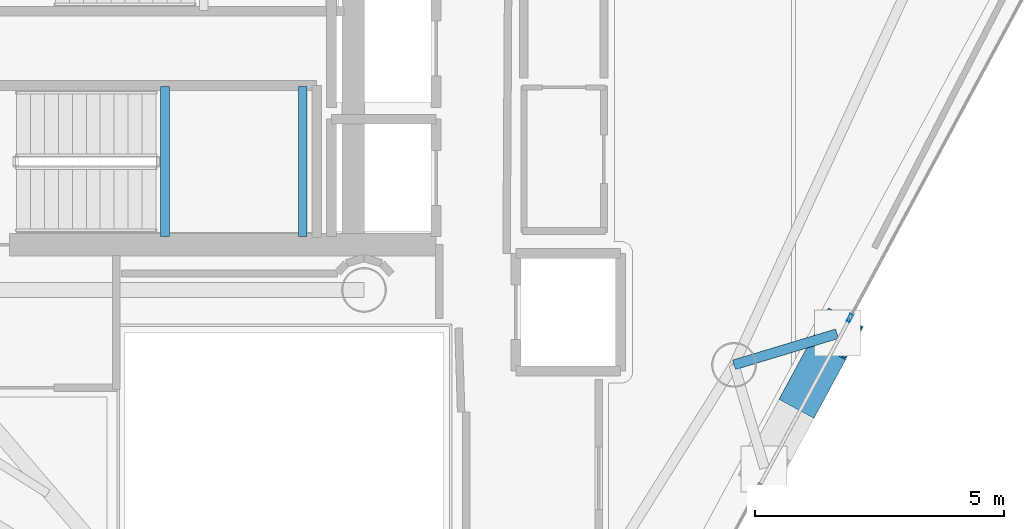
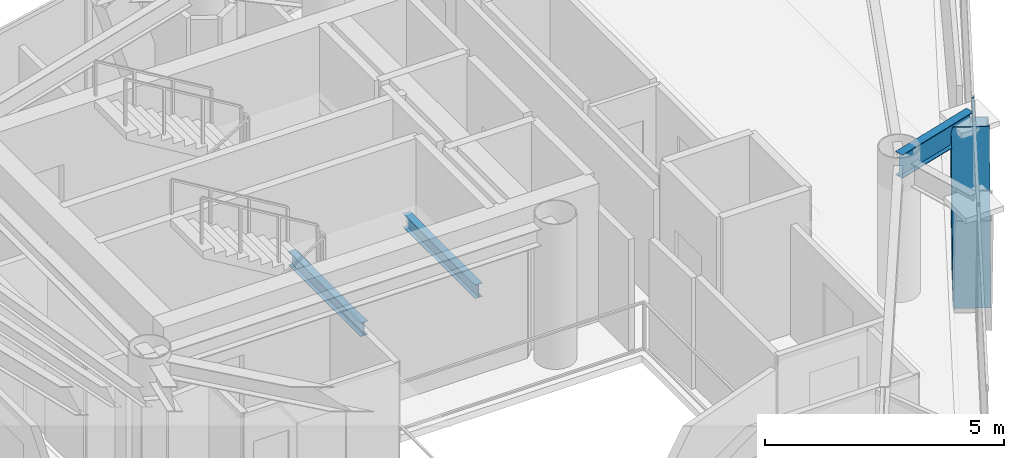
# One storey, part 12 of 24: 3 beams, 2 members, 1 element without a shape of its own.
"""IFC4 building model written with IfcOpenShell, lengths in metres."""

import ifcopenshell
import ifcopenshell.guid

model = None  # the IFC model being written
_history = None  # IfcOwnerHistory: only IFC2X3 demands one
_inside = {}  # id of a spatial element -> (the spatial element, [elements in it])
_under = {}  # id of a project, library or spatial element -> (it, [spatial elements below it])
_declared = {}  # id of a project -> (the project, [libraries it declares])
_typed = {}  # id of a type object -> (the type object, [elements of that type])
_made_of = {}  # id of a material, layer set ... -> (it, [elements and type objects made of it])


def new_model(schema):
    """Start an empty IFC model of exactly this schema.

    Asked for "IFC4X3", IfcOpenShell would pick the latest addendum, in which some entities
    have other attributes; the version numbers below select the first issue.
    IFC2X3 requires an IfcOwnerHistory on every rooted entity: one is made here for all.
    """
    global model, _history
    if schema == "IFC4X3":
        model = ifcopenshell.file(schema_version=(4, 3, 0, 0))
    else:
        model = ifcopenshell.file(schema=schema)
    _inside.clear()
    _under.clear()
    _declared.clear()
    _typed.clear()
    _made_of.clear()
    _history = None
    if model.schema == "IFC2X3":
        org = make("IfcOrganization", Name="unknown")
        user = make(
            "IfcPersonAndOrganization",
            ThePerson=make("IfcPerson", FamilyName="unknown"),
            TheOrganization=org,
        )
        app = make(
            "IfcApplication",
            ApplicationDeveloper=org,
            Version="unknown",
            ApplicationFullName="unknown",
            ApplicationIdentifier="unknown",
        )
        _history = make(
            "IfcOwnerHistory",
            OwningUser=user,
            OwningApplication=app,
            ChangeAction="ADDED",
            CreationDate=0,
        )
    return model


def make(cls, **values):
    """One entity of the class cls with the attributes given. An attribute that is None is left unset."""
    return model.create_entity(
        cls, **{name: value for name, value in values.items() if value is not None}
    )


def rooted(cls, **values):
    """An entity with a GlobalId (a new one), such as an element, a storey or a relation."""
    return make(cls, GlobalId=ifcopenshell.guid.new(), OwnerHistory=_history, **values)


def si_unit(unit_type, name, prefix=None):
    """IfcSIUnit, for example si_unit("LENGTHUNIT", "METRE", prefix="MILLI")."""
    return make("IfcSIUnit", UnitType=unit_type, Prefix=prefix, Name=name)


def assignment(units):
    """IfcUnitAssignment: the units of a project."""
    return None if units is None else make("IfcUnitAssignment", Units=units)


def point(xyz):
    """IfcCartesianPoint."""
    return None if xyz is None else make("IfcCartesianPoint", Coordinates=xyz)


def direction(xyz):
    """IfcDirection."""
    return None if xyz is None else make("IfcDirection", DirectionRatios=xyz)


def frame(location, z_axis=None, x_axis=None):
    """IfcAxis2Placement3D, a coordinate frame: its origin and axes. An axis left out is left unset."""
    return make(
        "IfcAxis2Placement3D",
        Location=point(location),
        Axis=direction(z_axis),
        RefDirection=direction(x_axis),
    )


def frame_2d(location, x_axis=None):
    """IfcAxis2Placement2D, a coordinate frame in the plane: its origin and x axis."""
    return make(
        "IfcAxis2Placement2D", Location=point(location), RefDirection=direction(x_axis)
    )


def origin():
    """The frame at (0, 0, 0) with its axes left unset."""
    return frame((0.0, 0.0, 0.0))


def origin_2d():
    """The frame at (0, 0) in the plane with its x axis left unset."""
    return frame_2d((0.0, 0.0))


def place(relative_to, where):
    """IfcLocalPlacement: puts the frame where relative to a parent placement (None: the world)."""
    return make(
        "IfcLocalPlacement", PlacementRelTo=relative_to, RelativePlacement=where
    )


def context(
    kind, dimensions, precision=None, world=None, true_north=None, identifier=None
):
    """IfcGeometricRepresentationContext, for example the 3D "Model" context."""
    return make(
        "IfcGeometricRepresentationContext",
        ContextIdentifier=identifier,
        ContextType=kind,
        CoordinateSpaceDimension=dimensions,
        Precision=precision,
        WorldCoordinateSystem=world,
        TrueNorth=true_north,
    )


def subcontext(parent, identifier, kind, view, scale=None):
    """IfcGeometricRepresentationSubContext, for example "Body" below "Model"."""
    return make(
        "IfcGeometricRepresentationSubContext",
        ContextIdentifier=identifier,
        ContextType=kind,
        ParentContext=parent,
        TargetScale=scale,
        TargetView=view,
    )


def project(units=None, contexts=None):
    """IfcProject with its units and contexts."""
    return rooted(
        "IfcProject",
        Name="project",
        RepresentationContexts=contexts,
        UnitsInContext=assignment(units),
    )


def spatial(cls, under=None, at=None, **own):
    """A site, building, storey or space (cls), placed at a placement, below another one or the project."""
    s = rooted(cls, ObjectPlacement=at, **own)
    if under is not None:
        _under.setdefault(under.id(), (under, []))[1].append(s)
    return s


def profile(cls, at=None, kind="AREA", **sizes):
    """A parametric profile (cls). Its sizes go by their IFC names, for example OverallWidth=200.0."""
    return make(cls, ProfileType=kind, Position=at, **sizes)


def hollow_rectangle(**sizes):
    """IfcRectangleHollowProfileDef."""
    return profile("IfcRectangleHollowProfileDef", **sizes)


def i_section(**sizes):
    """IfcIShapeProfileDef."""
    return profile("IfcIShapeProfileDef", **sizes)


def extrude(swept, where, along, depth):
    """IfcExtrudedAreaSolid: the profile swept, set in the frame where, extruded along a direction by depth."""
    return make(
        "IfcExtrudedAreaSolid",
        SweptArea=swept,
        Position=where,
        ExtrudedDirection=direction(along),
        Depth=depth,
    )


def shape(context_of_items, identifier, shape_type, items):
    """IfcShapeRepresentation: the items that make up one representation, for example the "Body"."""
    return make(
        "IfcShapeRepresentation",
        ContextOfItems=context_of_items,
        RepresentationIdentifier=identifier,
        RepresentationType=shape_type,
        Items=items,
    )


def material(Name=None, Category=None):
    """IfcMaterial."""
    return make("IfcMaterial", Name=Name, Category=Category)


def layer(
    of_material, thickness, ventilated=None, Name=None, Category=None, Priority=None
):
    """IfcMaterialLayer: one layer of a wall or slab, of a material (None: an air gap)."""
    return make(
        "IfcMaterialLayer",
        Material=of_material,
        LayerThickness=thickness,
        IsVentilated=ventilated,
        Name=Name,
        Category=Category,
        Priority=Priority,
    )


def layer_set(layers, Name=None):
    """IfcMaterialLayerSet."""
    return make("IfcMaterialLayerSet", MaterialLayers=layers, LayerSetName=Name)


def material_profile(
    of_material, cross_section, Name=None, Category=None, Priority=None
):
    """IfcMaterialProfile: a cross section and its material."""
    return make(
        "IfcMaterialProfile",
        Name=Name,
        Material=of_material,
        Profile=cross_section,
        Priority=Priority,
        Category=Category,
    )


def profile_set(profiles, Name=None, composite=None):
    """IfcMaterialProfileSet."""
    return make(
        "IfcMaterialProfileSet",
        Name=Name,
        MaterialProfiles=profiles,
        CompositeProfile=composite,
    )


def made_of(thing, what):
    """Note that an element or type object is made of a material, layer set ...; save() writes the relation."""
    if what is not None:
        _made_of.setdefault(what.id(), (what, []))[1].append(thing)
    return thing


def type_object(cls, material=None, **own):
    """A type object (cls), such as IfcWallType, which elements share."""
    return made_of(rooted(cls, **own), material)


def element(
    cls,
    number,
    at=None,
    inside=None,
    cuts=None,
    type_object=None,
    material=None,
    context=None,
    identifier="Body",
    shape_type=None,
    held_by="IfcProductDefinitionShape",
    body=None,
    shapes=None,
    **own,
):
    """One element of the class cls, such as IfcWall. Its Tag is "e" and its number.

    at: its placement. inside: the storey or other place that contains it. cuts: it is an
    opening in that element (IfcRelVoidsElement). A single representation is given by context,
    identifier, shape_type and body (its items); several are given by shapes. held_by: the class
    of the entity that holds the representations. save() writes the other relations.
    """
    e = rooted(cls, Tag="e%d" % number, ObjectPlacement=at, **own)
    if body is not None:
        shapes = [shape(context, identifier, shape_type, body)]
    if shapes is not None:
        e.Representation = make(held_by, Representations=shapes)
    if inside is not None:
        _inside.setdefault(inside.id(), (inside, []))[1].append(e)
    if cuts is not None:
        rooted(
            "IfcRelVoidsElement", RelatingBuildingElement=cuts, RelatedOpeningElement=e
        )
    if type_object is not None:
        _typed.setdefault(type_object.id(), (type_object, []))[1].append(e)
    return made_of(e, material)


def aggregate(whole, parts):
    """IfcRelAggregates: a whole, such as a stair, and the parts it consists of."""
    return rooted("IfcRelAggregates", RelatingObject=whole, RelatedObjects=parts)


def save(model, path):
    """Write the relations noted so far, then the file.

    IfcRelAggregates (storeys below a building ...), IfcRelContainedInSpatialStructure (elements
    in a storey), IfcRelDefinesByType, IfcRelAssociatesMaterial and IfcRelDeclares: one each for
    every whole, place, type object, material and project.
    """
    for whole, parts in _under.values():
        aggregate(whole, parts)
    for where, things in _inside.values():
        rooted(
            "IfcRelContainedInSpatialStructure",
            RelatedElements=things,
            RelatingStructure=where,
        )
    for kind, things in _typed.values():
        rooted("IfcRelDefinesByType", RelatedObjects=things, RelatingType=kind)
    for what, things in _made_of.values():
        rooted("IfcRelAssociatesMaterial", RelatedObjects=things, RelatingMaterial=what)
    for by, libraries in _declared.values():
        rooted("IfcRelDeclares", RelatingContext=by, RelatedDefinitions=libraries)
    model.write(path)


model = new_model("IFC4")

# Units and contexts
model_context = context("Model", 3, precision=1e-05, world=origin(), true_north=direction((0.0, 1.0)))
body_context = subcontext(model_context, "Body", "Model", "MODEL_VIEW")
ifc_project = project(units=[si_unit("LENGTHUNIT", "METRE"), si_unit("AREAUNIT", "SQUARE_METRE"), si_unit("VOLUMEUNIT", "CUBIC_METRE"), si_unit("PLANEANGLEUNIT", "RADIAN"), si_unit("MASSUNIT", "GRAM", prefix="KILO")], contexts=[model_context])

# Site, building, storey
site_placement = place(None, origin())
site = spatial("IfcSite", under=ifc_project, at=site_placement, CompositionType="ELEMENT")
building_placement = place(site_placement, origin())
building = spatial("IfcBuilding", under=site, at=building_placement, Name="Qianvela Tower", CompositionType="ELEMENT")
storey_placement = place(building_placement, frame((0.0, 0.0, 306.5)))
storey = spatial("IfcBuildingStorey", under=building, at=storey_placement, Name="L79", CompositionType="ELEMENT", Elevation=306.5)

# Beams
ifc_material_1 = material(Name="Steel Q355B", Category="steel")
ifc_material_profile_1 = material_profile(ifc_material_1, i_section(OverallWidth=0.175048828125, OverallDepth=0.35009765625, WebThickness=0.007080078125, FlangeThickness=0.010986328125, at=origin_2d()), Name="HN350x175x7x11")
ifc_profile_set_1 = profile_set([ifc_material_profile_1], Name="Steel Q355B")
beam_type_1 = type_object("IfcBeamType", Name="BM-HN350-JOIST", PredefinedType="JOIST", material=ifc_profile_set_1)
for number, where, z_axis, x_axis, name in (
    (1, (34.39990234375, 24.919921875, 1.47509765625), (0.0, 1.0, 0.0), (-1.0, 0.0, 0.0), "L79 Stair ST-2 Landing Support Beam 1.1"),
    (2, (37.169921875, 24.919921875, 1.47509765625), (0.0, 1.0, 0.0), (-1.0, 0.0, 0.0), "L79 Stair ST-2 Landing Support Beam 1.2"),
):
    element("IfcBeam", number, at=place(storey_placement, frame(where, z_axis=z_axis, x_axis=x_axis)), inside=storey, type_object=beam_type_1, Name=name, PredefinedType="JOIST", context=body_context, shape_type="SweptSolid", body=[
        extrude(i_section(OverallWidth=0.175048828125, OverallDepth=0.35009765625, WebThickness=0.007080078125, FlangeThickness=0.010986328125, at=origin_2d()), origin(), (0.0, 0.0, 1.0), 3.02001953125),
    ])
ifc_material_2 = material(Name="Steel Q355B", Category="steel")
ifc_material_profile_2 = material_profile(ifc_material_2, i_section(OverallWidth=0.199951171875, OverallDepth=0.60009765625, WebThickness=0.010986328125, FlangeThickness=0.01708984375, at=origin_2d()), Name="HN600x200x11x17")
ifc_profile_set_2 = profile_set([ifc_material_profile_2], Name="Steel Q355B")
beam_type_2 = type_object("IfcBeamType", Name="BM-HN600-GIRD", PredefinedType="BEAM", material=ifc_profile_set_2)
beam_placement = place(storey_placement, frame((45.833984375, 22.344970703125, 3.218017578125), z_axis=(0.957393128852, 0.288787805884, 0.0), x_axis=(-0.288787805884, 0.957393128852, 0.0)))
element("IfcBeam", 3, at=beam_placement, inside=storey, type_object=beam_type_2, Name="L79 Mega-Brace Column Tie Bracket F3-2", PredefinedType="BEAM", context=body_context, shape_type="SweptSolid", body=[
    extrude(i_section(OverallWidth=0.199951171875, OverallDepth=0.60009765625, WebThickness=0.010986328125, FlangeThickness=0.01708984375, at=origin_2d()), origin(), (0.0, 0.0, 1.0), 2.16162109375),
])

# Curtain wall, member
ifc_material_3 = material(Name="Anodised Architectural Aluminium and Insulated Spandrel Panel", Category="aluminium")
ifc_layer = layer(ifc_material_3, 0.179931640625)
ifc_layer_set = layer_set([ifc_layer], Name="Anodised Architectural Aluminium and Insulated Spandrel Panel")
curtain_wall_type = type_object("IfcCurtainWallType", Name="CW-BRACEBAY", PredefinedType="USERDEFINED", material=ifc_layer_set)
curtain_wall_placement = place(storey_placement, origin())
curtain_wall = element("IfcCurtainWall", 4, at=curtain_wall_placement, inside=storey, type_object=curtain_wall_type, Name="L79 CW-BRACEBAY Curtain Wall 06B", ObjectType="CURTAIN_WALL_SYSTEM", PredefinedType="USERDEFINED")
ifc_material_4 = material(Name="Anodised Architectural Aluminium 6063-T6", Category="aluminium")
ifc_material_profile_3 = material_profile(ifc_material_4, hollow_rectangle(XDim=0.06494140625, YDim=0.159912109375, WallThickness=0.0048828125, at=origin_2d()), Name="ALU-MULL-65x160")
ifc_profile_set_3 = profile_set([ifc_material_profile_3], Name="Anodised Architectural Aluminium 6063-T6")
member_type_1 = type_object("IfcMemberType", Name="CW-BRACEBAY-MULL", PredefinedType="MULLION", material=ifc_profile_set_3)
member_1_placement = place(storey_placement, frame((48.16357421875, 23.281982421875, 0.0), z_axis=(0.0, 0.0, 1.0), x_axis=(-0.879907525338, 0.475144974563, 0.0)))
member_1 = element("IfcMember", 5, at=member_1_placement, type_object=member_type_1, Name="CW-9 mullion 2", PredefinedType="MULLION", context=body_context, shape_type="SweptSolid", body=[
    extrude(hollow_rectangle(XDim=0.06494140625, YDim=0.159912109375, WallThickness=0.0048828125, at=origin_2d()), origin(), (0.0, 0.0, 1.0), 3.52001953125),
])
aggregate(curtain_wall, [member_1])

# Member
ifc_material_5 = material(Name="Steel Q420GJC", Category="steel")
ifc_material_profile_4 = material_profile(ifc_material_5, hollow_rectangle(XDim=0.800048828125, YDim=0.800048828125, WallThickness=0.028076171875, at=origin_2d()), Name="MBOX-800x800x28")
ifc_profile_set_4 = profile_set([ifc_material_profile_4], Name="Steel Q420GJC")
member_type_2 = type_object("IfcMemberType", Name="MBR-MBRACE-800", PredefinedType="BRACE", material=ifc_profile_set_4)
member_2_placement = place(storey_placement, frame((47.267333984375, 21.791015625, -0.48193359375), z_axis=(0.161693292484, 0.299436619158, 0.940315367456), x_axis=(-0.879908446769, 0.475143268189, 0.0)))
element("IfcMember", 6, at=member_2_placement, inside=storey, type_object=member_type_2, Name="L79 Tier 13 Exterior Mega-Brace F3B", PredefinedType="BRACE", context=body_context, shape_type="SweptSolid", body=[
    extrude(hollow_rectangle(XDim=0.800048828125, YDim=0.800048828125, WallThickness=0.028076171875, at=origin_2d()), origin(), (0.0, 0.0, 1.0), 3.934814453125),
])

save(model, "model.ifc")
